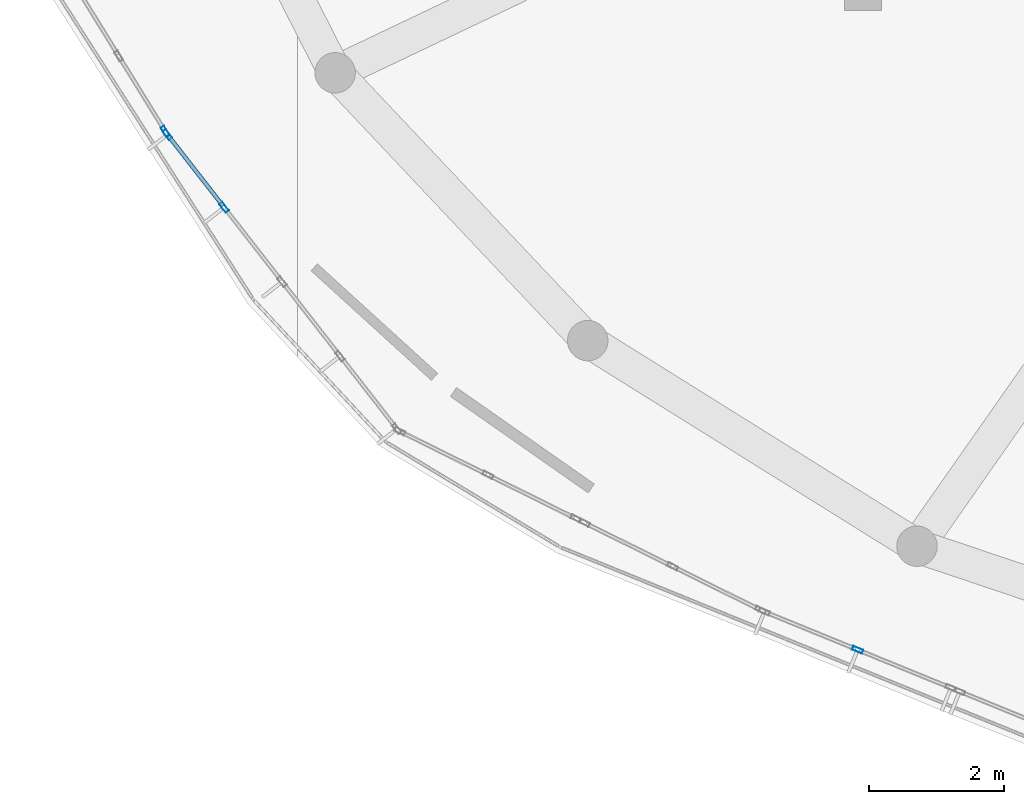
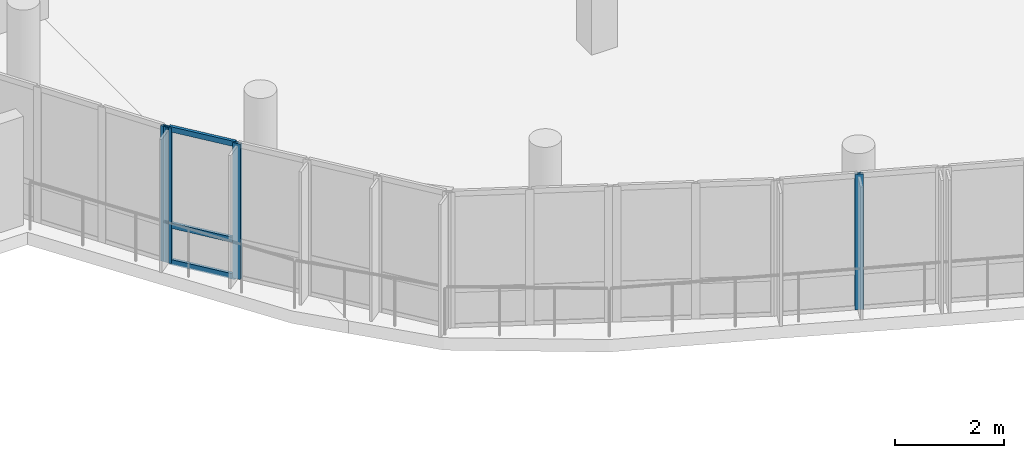
# One storey, part 2 of 43: 7 members, 3 elements without a shape of their own.
"""IFC4 building model written with IfcOpenShell, lengths in metres."""

import ifcopenshell
import ifcopenshell.guid

model = None  # the IFC model being written
_history = None  # IfcOwnerHistory: only IFC2X3 demands one
_inside = {}  # id of a spatial element -> (the spatial element, [elements in it])
_under = {}  # id of a project, library or spatial element -> (it, [spatial elements below it])
_declared = {}  # id of a project -> (the project, [libraries it declares])
_typed = {}  # id of a type object -> (the type object, [elements of that type])
_made_of = {}  # id of a material, layer set ... -> (it, [elements and type objects made of it])


def new_model(schema):
    """Start an empty IFC model of exactly this schema.

    Asked for "IFC4X3", IfcOpenShell would pick the latest addendum, in which some entities
    have other attributes; the version numbers below select the first issue.
    IFC2X3 requires an IfcOwnerHistory on every rooted entity: one is made here for all.
    """
    global model, _history
    if schema == "IFC4X3":
        model = ifcopenshell.file(schema_version=(4, 3, 0, 0))
    else:
        model = ifcopenshell.file(schema=schema)
    _inside.clear()
    _under.clear()
    _declared.clear()
    _typed.clear()
    _made_of.clear()
    _history = None
    if model.schema == "IFC2X3":
        org = make("IfcOrganization", Name="unknown")
        user = make(
            "IfcPersonAndOrganization",
            ThePerson=make("IfcPerson", FamilyName="unknown"),
            TheOrganization=org,
        )
        app = make(
            "IfcApplication",
            ApplicationDeveloper=org,
            Version="unknown",
            ApplicationFullName="unknown",
            ApplicationIdentifier="unknown",
        )
        _history = make(
            "IfcOwnerHistory",
            OwningUser=user,
            OwningApplication=app,
            ChangeAction="ADDED",
            CreationDate=0,
        )
    return model


def make(cls, **values):
    """One entity of the class cls with the attributes given. An attribute that is None is left unset."""
    return model.create_entity(
        cls, **{name: value for name, value in values.items() if value is not None}
    )


def rooted(cls, **values):
    """An entity with a GlobalId (a new one), such as an element, a storey or a relation."""
    return make(cls, GlobalId=ifcopenshell.guid.new(), OwnerHistory=_history, **values)


def si_unit(unit_type, name, prefix=None):
    """IfcSIUnit, for example si_unit("LENGTHUNIT", "METRE", prefix="MILLI")."""
    return make("IfcSIUnit", UnitType=unit_type, Prefix=prefix, Name=name)


def derived_unit(unit_type, elements):
    """IfcDerivedUnit: a product of units, each with its exponent."""
    return make(
        "IfcDerivedUnit",
        Elements=[
            make("IfcDerivedUnitElement", Unit=unit, Exponent=power)
            for unit, power in elements
        ],
        UnitType=unit_type,
    )


def assignment(units):
    """IfcUnitAssignment: the units of a project."""
    return None if units is None else make("IfcUnitAssignment", Units=units)


def point(xyz):
    """IfcCartesianPoint."""
    return None if xyz is None else make("IfcCartesianPoint", Coordinates=xyz)


def direction(xyz):
    """IfcDirection."""
    return None if xyz is None else make("IfcDirection", DirectionRatios=xyz)


def frame(location, z_axis=None, x_axis=None):
    """IfcAxis2Placement3D, a coordinate frame: its origin and axes. An axis left out is left unset."""
    return make(
        "IfcAxis2Placement3D",
        Location=point(location),
        Axis=direction(z_axis),
        RefDirection=direction(x_axis),
    )


def frame_2d(location, x_axis=None):
    """IfcAxis2Placement2D, a coordinate frame in the plane: its origin and x axis."""
    return make(
        "IfcAxis2Placement2D", Location=point(location), RefDirection=direction(x_axis)
    )


def origin():
    """The frame at (0, 0, 0) with its axes left unset."""
    return frame((0.0, 0.0, 0.0))


def origin_2d():
    """The frame at (0, 0) in the plane with its x axis left unset."""
    return frame_2d((0.0, 0.0))


def place(relative_to, where):
    """IfcLocalPlacement: puts the frame where relative to a parent placement (None: the world)."""
    return make(
        "IfcLocalPlacement", PlacementRelTo=relative_to, RelativePlacement=where
    )


def context(
    kind, dimensions, precision=None, world=None, true_north=None, identifier=None
):
    """IfcGeometricRepresentationContext, for example the 3D "Model" context."""
    return make(
        "IfcGeometricRepresentationContext",
        ContextIdentifier=identifier,
        ContextType=kind,
        CoordinateSpaceDimension=dimensions,
        Precision=precision,
        WorldCoordinateSystem=world,
        TrueNorth=true_north,
    )


def subcontext(parent, identifier, kind, view, scale=None):
    """IfcGeometricRepresentationSubContext, for example "Body" below "Model"."""
    return make(
        "IfcGeometricRepresentationSubContext",
        ContextIdentifier=identifier,
        ContextType=kind,
        ParentContext=parent,
        TargetScale=scale,
        TargetView=view,
    )


def project(units=None, contexts=None):
    """IfcProject with its units and contexts."""
    return rooted(
        "IfcProject",
        Name="project",
        RepresentationContexts=contexts,
        UnitsInContext=assignment(units),
    )


def spatial(cls, under=None, at=None, **own):
    """A site, building, storey or space (cls), placed at a placement, below another one or the project."""
    s = rooted(cls, ObjectPlacement=at, **own)
    if under is not None:
        _under.setdefault(under.id(), (under, []))[1].append(s)
    return s


def profile(cls, at=None, kind="AREA", **sizes):
    """A parametric profile (cls). Its sizes go by their IFC names, for example OverallWidth=200.0."""
    return make(cls, ProfileType=kind, Position=at, **sizes)


def hollow_rectangle(**sizes):
    """IfcRectangleHollowProfileDef."""
    return profile("IfcRectangleHollowProfileDef", **sizes)


def extrude(swept, where, along, depth):
    """IfcExtrudedAreaSolid: the profile swept, set in the frame where, extruded along a direction by depth."""
    return make(
        "IfcExtrudedAreaSolid",
        SweptArea=swept,
        Position=where,
        ExtrudedDirection=direction(along),
        Depth=depth,
    )


def shape(context_of_items, identifier, shape_type, items):
    """IfcShapeRepresentation: the items that make up one representation, for example the "Body"."""
    return make(
        "IfcShapeRepresentation",
        ContextOfItems=context_of_items,
        RepresentationIdentifier=identifier,
        RepresentationType=shape_type,
        Items=items,
    )


def material(Name=None, Category=None):
    """IfcMaterial."""
    return make("IfcMaterial", Name=Name, Category=Category)


def layer(
    of_material, thickness, ventilated=None, Name=None, Category=None, Priority=None
):
    """IfcMaterialLayer: one layer of a wall or slab, of a material (None: an air gap)."""
    return make(
        "IfcMaterialLayer",
        Material=of_material,
        LayerThickness=thickness,
        IsVentilated=ventilated,
        Name=Name,
        Category=Category,
        Priority=Priority,
    )


def layer_set(layers, Name=None):
    """IfcMaterialLayerSet."""
    return make("IfcMaterialLayerSet", MaterialLayers=layers, LayerSetName=Name)


def material_profile(
    of_material, cross_section, Name=None, Category=None, Priority=None
):
    """IfcMaterialProfile: a cross section and its material."""
    return make(
        "IfcMaterialProfile",
        Name=Name,
        Material=of_material,
        Profile=cross_section,
        Priority=Priority,
        Category=Category,
    )


def profile_set(profiles, Name=None, composite=None):
    """IfcMaterialProfileSet."""
    return make(
        "IfcMaterialProfileSet",
        Name=Name,
        MaterialProfiles=profiles,
        CompositeProfile=composite,
    )


def made_of(thing, what):
    """Note that an element or type object is made of a material, layer set ...; save() writes the relation."""
    if what is not None:
        _made_of.setdefault(what.id(), (what, []))[1].append(thing)
    return thing


def type_object(cls, material=None, **own):
    """A type object (cls), such as IfcWallType, which elements share."""
    return made_of(rooted(cls, **own), material)


def element(
    cls,
    number,
    at=None,
    inside=None,
    cuts=None,
    type_object=None,
    material=None,
    context=None,
    identifier="Body",
    shape_type=None,
    held_by="IfcProductDefinitionShape",
    body=None,
    shapes=None,
    **own,
):
    """One element of the class cls, such as IfcWall. Its Tag is "e" and its number.

    at: its placement. inside: the storey or other place that contains it. cuts: it is an
    opening in that element (IfcRelVoidsElement). A single representation is given by context,
    identifier, shape_type and body (its items); several are given by shapes. held_by: the class
    of the entity that holds the representations. save() writes the other relations.
    """
    e = rooted(cls, Tag="e%d" % number, ObjectPlacement=at, **own)
    if body is not None:
        shapes = [shape(context, identifier, shape_type, body)]
    if shapes is not None:
        e.Representation = make(held_by, Representations=shapes)
    if inside is not None:
        _inside.setdefault(inside.id(), (inside, []))[1].append(e)
    if cuts is not None:
        rooted(
            "IfcRelVoidsElement", RelatingBuildingElement=cuts, RelatedOpeningElement=e
        )
    if type_object is not None:
        _typed.setdefault(type_object.id(), (type_object, []))[1].append(e)
    return made_of(e, material)


def aggregate(whole, parts):
    """IfcRelAggregates: a whole, such as a stair, and the parts it consists of."""
    return rooted("IfcRelAggregates", RelatingObject=whole, RelatedObjects=parts)


def save(model, path):
    """Write the relations noted so far, then the file.

    IfcRelAggregates (storeys below a building ...), IfcRelContainedInSpatialStructure (elements
    in a storey), IfcRelDefinesByType, IfcRelAssociatesMaterial and IfcRelDeclares: one each for
    every whole, place, type object, material and project.
    """
    for whole, parts in _under.values():
        aggregate(whole, parts)
    for where, things in _inside.values():
        rooted(
            "IfcRelContainedInSpatialStructure",
            RelatedElements=things,
            RelatingStructure=where,
        )
    for kind, things in _typed.values():
        rooted("IfcRelDefinesByType", RelatedObjects=things, RelatingType=kind)
    for what, things in _made_of.values():
        rooted("IfcRelAssociatesMaterial", RelatedObjects=things, RelatingMaterial=what)
    for by, libraries in _declared.values():
        rooted("IfcRelDeclares", RelatingContext=by, RelatedDefinitions=libraries)
    model.write(path)


model = new_model("IFC4")

# Units and contexts
model_context = context("Model", 3, precision=1e-05, world=origin(), true_north=direction((0.0, 1.0)))
body_context = subcontext(model_context, "Body", "Model", "MODEL_VIEW")
ifc_project = project(units=[si_unit("LENGTHUNIT", "METRE"), si_unit("AREAUNIT", "SQUARE_METRE"), si_unit("VOLUMEUNIT", "CUBIC_METRE"), si_unit("PLANEANGLEUNIT", "RADIAN"), si_unit("MASSUNIT", "GRAM", prefix="KILO"), derived_unit("THERMALTRANSMITTANCEUNIT", [(si_unit("POWERUNIT", "WATT"), 1), (si_unit("LENGTHUNIT", "METRE"), -2), (si_unit("THERMODYNAMICTEMPERATUREUNIT", "KELVIN"), -1)])], contexts=[model_context])

# Site, building, storey
site_placement = place(None, origin())
site = spatial("IfcSite", under=ifc_project, at=site_placement, CompositionType="ELEMENT")
building_placement = place(site_placement, origin())
building = spatial("IfcBuilding", under=site, at=building_placement, Name="Elbkamm Science Centre", CompositionType="ELEMENT")
storey_placement = place(building_placement, frame((0.0, 0.0, 18.300048828125)))
storey = spatial("IfcBuildingStorey", under=building, at=storey_placement, Name="L04", CompositionType="ELEMENT", Elevation=18.300048828125)

# Curtain wall, member
ifc_material_1 = material(Name="Powder-coated aluminium and triple low-E glazing", Category="aluminium")
ifc_layer_1 = layer(ifc_material_1, 0.159912109375)
ifc_layer_set_1 = layer_set([ifc_layer_1], Name="Powder-coated aluminium and triple low-E glazing")
curtain_wall_type_1 = type_object("IfcCurtainWallType", Name="CW-UNIT-5360x3040", PredefinedType="USERDEFINED", material=ifc_layer_set_1)
curtain_wall_1_placement = place(storey_placement, origin())
curtain_wall_1 = element("IfcCurtainWall", 1, at=curtain_wall_1_placement, inside=storey, type_object=curtain_wall_type_1, Name="L04 Unitised Curtain Wall 090", ObjectType="UNITISED CURTAIN WALL", PredefinedType="USERDEFINED")
ifc_material_2 = material(Name="Powder-coated aluminium EN AW-6060", Category="aluminium")
ifc_material_profile_1 = material_profile(ifc_material_2, hollow_rectangle(XDim=0.06005859375, YDim=0.159912109375, WallThickness=0.00390625, at=origin_2d()), Name="ALU M60x160")
ifc_profile_set_1 = profile_set([ifc_material_profile_1], Name="Powder-coated aluminium EN AW-6060")
member_type_1 = type_object("IfcMemberType", Name="CW-MUL-60x160", PredefinedType="MULLION", material=ifc_profile_set_1)
member_1_placement = place(storey_placement, frame((40.037841796875, 56.732177734375, 0.0), z_axis=(0.0, 0.0, 1.0), x_axis=(0.85114742283, 0.524926723085, 0.0)))
member_1 = element("IfcMember", 2, at=member_1_placement, type_object=member_type_1, Name="CW-043 mullion 5", PredefinedType="MULLION", context=body_context, shape_type="SweptSolid", body=[
    extrude(hollow_rectangle(XDim=0.06005859375, YDim=0.159912109375, WallThickness=0.00390625, at=origin_2d()), origin(), (0.0, 0.0, 1.0), 3.0400390625),
])
aggregate(curtain_wall_1, [member_1])

# Curtain wall, members
ifc_layer_2 = layer(ifc_material_1, 0.159912109375)
ifc_layer_set_2 = layer_set([ifc_layer_2], Name="Powder-coated aluminium and triple low-E glazing")
curtain_wall_type_2 = type_object("IfcCurtainWallType", Name="CW-UNIT-5600x3040", PredefinedType="USERDEFINED", material=ifc_layer_set_2)
curtain_wall_2_placement = place(storey_placement, origin())
curtain_wall_2 = element("IfcCurtainWall", 3, at=curtain_wall_2_placement, inside=storey, type_object=curtain_wall_type_2, Name="L04 Unitised Curtain Wall 091", ObjectType="UNITISED CURTAIN WALL", PredefinedType="USERDEFINED")
member_2_placement = place(storey_placement, frame((40.072265625, 56.682861328125, 0.0), z_axis=(0.0, 0.0, 1.0), x_axis=(0.788678605009, 0.614805707522, 0.0)))
member_2 = element("IfcMember", 4, at=member_2_placement, type_object=member_type_1, Name="CW-044 mullion 1", PredefinedType="MULLION", context=body_context, shape_type="SweptSolid", body=[
    extrude(hollow_rectangle(XDim=0.06005859375, YDim=0.159912109375, WallThickness=0.00390625, at=origin_2d()), origin(), (0.0, 0.0, 1.0), 3.0400390625),
])
member_3_placement = place(storey_placement, frame((40.914306640625, 55.6025390625, 0.0), z_axis=(0.0, 0.0, 1.0), x_axis=(0.788678605009, 0.614805707522, 0.0)))
member_3 = element("IfcMember", 5, at=member_3_placement, type_object=member_type_1, Name="CW-044 mullion 2", PredefinedType="MULLION", context=body_context, shape_type="SweptSolid", body=[
    extrude(hollow_rectangle(XDim=0.06005859375, YDim=0.159912109375, WallThickness=0.00390625, at=origin_2d()), origin(), (0.0, 0.0, 1.0), 3.0400390625),
])

# Curtain wall, member
ifc_layer_3 = layer(ifc_material_1, 0.159912109375)
ifc_layer_set_3 = layer_set([ifc_layer_3], Name="Powder-coated aluminium and triple low-E glazing")
curtain_wall_type_3 = type_object("IfcCurtainWallType", Name="CW-UNIT-3060x3040", PredefinedType="USERDEFINED", material=ifc_layer_set_3)
curtain_wall_3_placement = place(storey_placement, origin())
curtain_wall_3 = element("IfcCurtainWall", 6, at=curtain_wall_3_placement, inside=storey, type_object=curtain_wall_type_3, Name="L04 Unitised Curtain Wall 094", ObjectType="UNITISED CURTAIN WALL", PredefinedType="USERDEFINED")
member_4_placement = place(storey_placement, frame((50.319580078125, 49.03369140625, 0.0), z_axis=(0.0, 0.0, 1.0), x_axis=(0.378001302905, 0.925805063176, 0.0)))
member_4 = element("IfcMember", 7, at=member_4_placement, type_object=member_type_1, Name="CW-046 mullion 2", PredefinedType="MULLION", context=body_context, shape_type="SweptSolid", body=[
    extrude(hollow_rectangle(XDim=0.06005859375, YDim=0.159912109375, WallThickness=0.00390625, at=origin_2d()), origin(), (0.0, 0.0, 1.0), 3.0400390625),
])
aggregate(curtain_wall_3, [member_4])

# Member
ifc_material_profile_2 = material_profile(ifc_material_2, hollow_rectangle(XDim=0.06005859375, YDim=0.1201171875, WallThickness=0.00341796875, at=origin_2d()), Name="ALU T60x120")
ifc_profile_set_2 = profile_set([ifc_material_profile_2], Name="Powder-coated aluminium EN AW-6060")
member_type_2 = type_object("IfcMemberType", Name="CW-TRN-60x120", PredefinedType="USERDEFINED", material=ifc_profile_set_2)
member_5_placement = place(storey_placement, frame((40.090576171875, 56.6591796875, 0.030029296875), z_axis=(0.614895045967, -0.788608954073, 0.0), x_axis=(0.788608954073, 0.614895045967, 0.0)))
member_5 = element("IfcMember", 8, at=member_5_placement, type_object=member_type_2, Name="CW-044 transom 1.1", ObjectType="TRANSOM", PredefinedType="USERDEFINED", context=body_context, shape_type="SweptSolid", body=[
    extrude(hollow_rectangle(XDim=0.06005859375, YDim=0.1201171875, WallThickness=0.00341796875, at=origin_2d()), origin(), (0.0, 0.0, 1.0), 1.309814453125),
])

member_6_placement = place(storey_placement, frame((40.090576171875, 56.6591796875, 0.849853515625), z_axis=(0.614895045967, -0.788608954073, 0.0), x_axis=(0.788608954073, 0.614895045967, 0.0)))
member_6 = element("IfcMember", 9, at=member_6_placement, type_object=member_type_2, Name="CW-044 transom 1.2", ObjectType="TRANSOM", PredefinedType="USERDEFINED", context=body_context, shape_type="SweptSolid", body=[
    extrude(hollow_rectangle(XDim=0.06005859375, YDim=0.1201171875, WallThickness=0.00341796875, at=origin_2d()), origin(), (0.0, 0.0, 1.0), 1.309814453125),
])

member_7_placement = place(storey_placement, frame((40.090576171875, 56.6591796875, 3.010009765625), z_axis=(0.614895045967, -0.788608954073, 0.0), x_axis=(0.788608954073, 0.614895045967, 0.0)))
member_7 = element("IfcMember", 10, at=member_7_placement, type_object=member_type_2, Name="CW-044 transom 1.3", ObjectType="TRANSOM", PredefinedType="USERDEFINED", context=body_context, shape_type="SweptSolid", body=[
    extrude(hollow_rectangle(XDim=0.06005859375, YDim=0.1201171875, WallThickness=0.00341796875, at=origin_2d()), origin(), (0.0, 0.0, 1.0), 1.309814453125),
])

aggregate(curtain_wall_2, [member_2, member_3, member_5, member_6, member_7])

save(model, "model.ifc")
